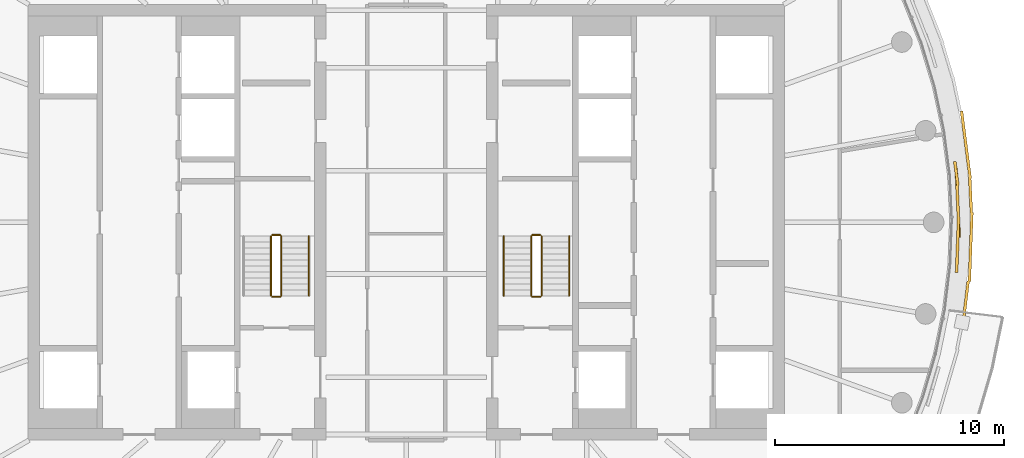
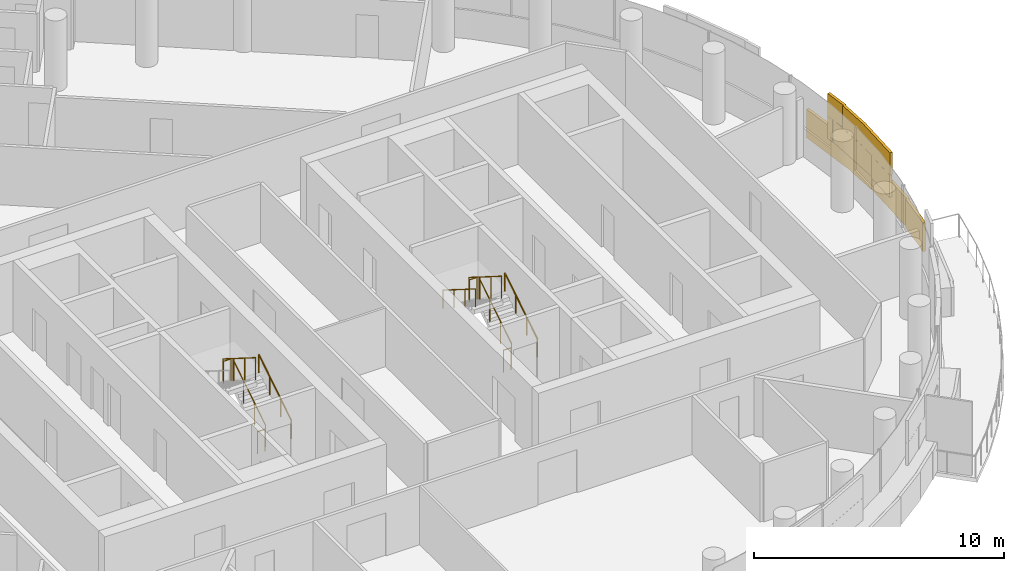
# One storey, part 24 of 27: 11 railings, 1 covering.
"""IFC4 building model written with IfcOpenShell, lengths in metres."""

from ifc_helpers import new_model, si_unit, direction, frame, origin, origin_2d, place, context, subcontext, project, spatial, rectangle, circle, extrude, material, layer, layer_set, type_object, element, save


model = new_model("IFC4")

# Units and contexts
model_context = context("Model", 3, precision=1e-05, world=origin(), true_north=direction((0.0, 1.0)))
body_context = subcontext(model_context, "Body", "Model", "MODEL_VIEW")
ifc_project = project(units=[si_unit("LENGTHUNIT", "METRE"), si_unit("AREAUNIT", "SQUARE_METRE"), si_unit("VOLUMEUNIT", "CUBIC_METRE"), si_unit("PLANEANGLEUNIT", "RADIAN"), si_unit("MASSUNIT", "GRAM", prefix="KILO")], contexts=[model_context])

# Site, building, storey
site_placement = place(None, origin())
site = spatial("IfcSite", under=ifc_project, at=site_placement, CompositionType="ELEMENT")
building_placement = place(site_placement, origin())
building = spatial("IfcBuilding", under=site, at=building_placement, Name="Tamarind Cross Interchange Tower", CompositionType="ELEMENT")
storey_placement = place(building_placement, frame((0.0, 0.0, 230.699951171875)))
storey = spatial("IfcBuildingStorey", under=building, at=storey_placement, Name="L58", CompositionType="ELEMENT", Elevation=230.699951171875)

# Railings
ifc_material_1 = material(Name="Stair guard")
railing_type_1 = type_object("IfcRailingType", Name="Stair guard", PredefinedType="GUARDRAIL", material=ifc_material_1)
railing_1_placement = place(storey_placement, frame((-5.449951171875, -3.199951171875, 0.16357421875)))
element("IfcRailing", 1, at=railing_1_placement, inside=storey, type_object=railing_type_1, Name="L58 ST1 stair guard 1", PredefinedType="GUARDRAIL", context=body_context, shape_type="SweptSolid", body=[
    extrude(circle(Radius=0.02392578125, at=origin_2d()), frame((0.0, 0.0, 1.076171875), z_axis=(0.0, 0.846301844409, 0.532703658848), x_axis=(-1.0, 0.0, 0.0)), (0.0, 0.0, 1.0), 3.072021484375),
    extrude(circle(Radius=0.02099609375, at=origin_2d()), origin(), (0.0, 0.0, 1.0), 1.052001953125),
    extrude(circle(Radius=0.02099609375, at=origin_2d()), frame((0.0, 0.86669921875, 0.54541015625)), (0.0, 0.0, 1.0), 1.052001953125),
    extrude(circle(Radius=0.02099609375, at=origin_2d()), frame((0.0, 1.733154296875, 1.091064453125)), (0.0, 0.0, 1.0), 1.052001953125),
    extrude(circle(Radius=0.02099609375, at=origin_2d()), frame((0.0, 2.599853515625, 1.636474609375)), (0.0, 0.0, 1.0), 1.052001953125),
])
railing_2_placement = place(storey_placement, frame((-5.5, -0.550048828125, 1.800048828125)))
element("IfcRailing", 2, at=railing_2_placement, inside=storey, type_object=railing_type_1, Name="L58 ST1 stair guard 2", PredefinedType="GUARDRAIL", context=body_context, shape_type="SweptSolid", body=[
    extrude(circle(Radius=0.02392578125, at=origin_2d()), frame((0.0, 0.0, 1.076171875), z_axis=(-1.0, 0.0, 0.0), x_axis=(0.0, -1.0, 0.0)), (0.0, 0.0, 1.0), 0.35009765625),
    extrude(circle(Radius=0.02099609375, at=origin_2d()), origin(), (0.0, 0.0, 1.0), 1.052001953125),
    extrude(circle(Radius=0.02099609375, at=origin_2d()), frame((-0.35009765625, 0.0, 0.0)), (0.0, 0.0, 1.0), 1.052001953125),
])
railing_3_placement = place(storey_placement, frame((-5.89990234375, -0.60009765625, 1.963623046875)))
element("IfcRailing", 3, at=railing_3_placement, inside=storey, type_object=railing_type_1, Name="L58 ST1 stair guard 3", PredefinedType="GUARDRAIL", context=body_context, shape_type="SweptSolid", body=[
    extrude(circle(Radius=0.02392578125, at=origin_2d()), frame((0.0, 0.0, 1.076171875), z_axis=(0.0, -0.846301844409, 0.532703658848), x_axis=(1.0, 0.0, 0.0)), (0.0, 0.0, 1.0), 3.072021484375),
    extrude(circle(Radius=0.02099609375, at=origin_2d()), origin(), (0.0, 0.0, 1.0), 1.052001953125),
    extrude(circle(Radius=0.02099609375, at=origin_2d()), frame((0.0, -0.86669921875, 0.54541015625)), (0.0, 0.0, 1.0), 1.052001953125),
    extrude(circle(Radius=0.02099609375, at=origin_2d()), frame((0.0, -1.733154296875, 1.091064453125)), (0.0, 0.0, 1.0), 1.052001953125),
    extrude(circle(Radius=0.02099609375, at=origin_2d()), frame((0.0, -2.599853515625, 1.636474609375)), (0.0, 0.0, 1.0), 1.052001953125),
])
railing_4_placement = place(storey_placement, frame((-5.5, -3.25, 0.0)))
element("IfcRailing", 4, at=railing_4_placement, inside=storey, type_object=railing_type_1, Name="L58 ST1 stair guard 4", PredefinedType="GUARDRAIL", context=body_context, shape_type="SweptSolid", body=[
    extrude(circle(Radius=0.02392578125, at=origin_2d()), frame((0.0, 0.0, 1.076171875), z_axis=(-1.0, 0.0, 0.0), x_axis=(0.0, -1.0, 0.0)), (0.0, 0.0, 1.0), 0.35009765625),
    extrude(circle(Radius=0.02099609375, at=origin_2d()), origin(), (0.0, 0.0, 1.0), 1.052001953125),
    extrude(circle(Radius=0.02099609375, at=origin_2d()), frame((-0.35009765625, 0.0, 0.0)), (0.0, 0.0, 1.0), 1.052001953125),
])
railing_5_placement = place(storey_placement, frame((5.89990234375, -3.199951171875, 0.16357421875)))
element("IfcRailing", 5, at=railing_5_placement, inside=storey, type_object=railing_type_1, Name="L58 ST2 stair guard 1", PredefinedType="GUARDRAIL", context=body_context, shape_type="SweptSolid", body=[
    extrude(circle(Radius=0.02392578125, at=origin_2d()), frame((0.0, 0.0, 1.076171875), z_axis=(0.0, 0.846301844409, 0.532703658848), x_axis=(-1.0, 0.0, 0.0)), (0.0, 0.0, 1.0), 3.072021484375),
    extrude(circle(Radius=0.02099609375, at=origin_2d()), origin(), (0.0, 0.0, 1.0), 1.052001953125),
    extrude(circle(Radius=0.02099609375, at=origin_2d()), frame((0.0, 0.86669921875, 0.54541015625)), (0.0, 0.0, 1.0), 1.052001953125),
    extrude(circle(Radius=0.02099609375, at=origin_2d()), frame((0.0, 1.733154296875, 1.091064453125)), (0.0, 0.0, 1.0), 1.052001953125),
    extrude(circle(Radius=0.02099609375, at=origin_2d()), frame((0.0, 2.599853515625, 1.636474609375)), (0.0, 0.0, 1.0), 1.052001953125),
])
railing_6_placement = place(storey_placement, frame((5.85009765625, -0.550048828125, 1.800048828125)))
element("IfcRailing", 6, at=railing_6_placement, inside=storey, type_object=railing_type_1, Name="L58 ST2 stair guard 2", PredefinedType="GUARDRAIL", context=body_context, shape_type="SweptSolid", body=[
    extrude(circle(Radius=0.02392578125, at=origin_2d()), frame((0.0, 0.0, 1.076171875), z_axis=(-1.0, 0.0, 0.0), x_axis=(0.0, -1.0, 0.0)), (0.0, 0.0, 1.0), 0.35009765625),
    extrude(circle(Radius=0.02099609375, at=origin_2d()), origin(), (0.0, 0.0, 1.0), 1.052001953125),
    extrude(circle(Radius=0.02099609375, at=origin_2d()), frame((-0.35009765625, 0.0, 0.0)), (0.0, 0.0, 1.0), 1.052001953125),
])
railing_7_placement = place(storey_placement, frame((5.449951171875, -0.60009765625, 1.963623046875)))
element("IfcRailing", 7, at=railing_7_placement, inside=storey, type_object=railing_type_1, Name="L58 ST2 stair guard 3", PredefinedType="GUARDRAIL", context=body_context, shape_type="SweptSolid", body=[
    extrude(circle(Radius=0.02392578125, at=origin_2d()), frame((0.0, 0.0, 1.076171875), z_axis=(0.0, -0.846301844409, 0.532703658848), x_axis=(1.0, 0.0, 0.0)), (0.0, 0.0, 1.0), 3.072021484375),
    extrude(circle(Radius=0.02099609375, at=origin_2d()), origin(), (0.0, 0.0, 1.0), 1.052001953125),
    extrude(circle(Radius=0.02099609375, at=origin_2d()), frame((0.0, -0.86669921875, 0.54541015625)), (0.0, 0.0, 1.0), 1.052001953125),
    extrude(circle(Radius=0.02099609375, at=origin_2d()), frame((0.0, -1.733154296875, 1.091064453125)), (0.0, 0.0, 1.0), 1.052001953125),
    extrude(circle(Radius=0.02099609375, at=origin_2d()), frame((0.0, -2.599853515625, 1.636474609375)), (0.0, 0.0, 1.0), 1.052001953125),
])
railing_8_placement = place(storey_placement, frame((5.85009765625, -3.25, 0.0)))
element("IfcRailing", 8, at=railing_8_placement, inside=storey, type_object=railing_type_1, Name="L58 ST2 stair guard 4", PredefinedType="GUARDRAIL", context=body_context, shape_type="SweptSolid", body=[
    extrude(circle(Radius=0.02392578125, at=origin_2d()), frame((0.0, 0.0, 1.076171875), z_axis=(-1.0, 0.0, 0.0), x_axis=(0.0, -1.0, 0.0)), (0.0, 0.0, 1.0), 0.35009765625),
    extrude(circle(Radius=0.02099609375, at=origin_2d()), origin(), (0.0, 0.0, 1.0), 1.052001953125),
    extrude(circle(Radius=0.02099609375, at=origin_2d()), frame((-0.35009765625, 0.0, 0.0)), (0.0, 0.0, 1.0), 1.052001953125),
])
ifc_material_2 = material(Name="Stair handrail")
railing_type_2 = type_object("IfcRailingType", Name="Stair handrail", PredefinedType="HANDRAIL", material=ifc_material_2)
for number, where, name in (
    (9, (-4.25, -3.199951171875, 0.16357421875), "L58 ST1 stair handrail 1"),
    (10, (7.10009765625, -3.199951171875, 0.16357421875), "L58 ST2 stair handrail 1"),
):
    element("IfcRailing", number, at=place(storey_placement, frame(where)), inside=storey, type_object=railing_type_2, Name=name, PredefinedType="HANDRAIL", context=body_context, shape_type="SweptSolid", body=[
        extrude(circle(Radius=0.02392578125, at=origin_2d()), frame((0.0, 0.0, 0.8759765625), z_axis=(0.0, 0.846301844409, 0.532703658848), x_axis=(-1.0, 0.0, 0.0)), (0.0, 0.0, 1.0), 3.072021484375),
        extrude(circle(Radius=0.02099609375, at=origin_2d()), origin(), (0.0, 0.0, 1.0), 0.851806640625),
        extrude(circle(Radius=0.02099609375, at=origin_2d()), frame((0.0, 0.86669921875, 0.54541015625)), (0.0, 0.0, 1.0), 0.851806640625),
        extrude(circle(Radius=0.02099609375, at=origin_2d()), frame((0.0, 1.733154296875, 1.091064453125)), (0.0, 0.0, 1.0), 0.851806640625),
        extrude(circle(Radius=0.02099609375, at=origin_2d()), frame((0.0, 2.599853515625, 1.636474609375)), (0.0, 0.0, 1.0), 0.851806640625),
    ])
railing_9_placement = place(storey_placement, frame((4.25, -0.60009765625, 1.963623046875)))
element("IfcRailing", 11, at=railing_9_placement, inside=storey, type_object=railing_type_2, Name="L58 ST2 stair handrail 2", PredefinedType="HANDRAIL", context=body_context, shape_type="SweptSolid", body=[
    extrude(circle(Radius=0.02392578125, at=origin_2d()), frame((0.0, 0.0, 0.8759765625), z_axis=(0.0, -0.846301844409, 0.532703658848), x_axis=(1.0, 0.0, 0.0)), (0.0, 0.0, 1.0), 3.072021484375),
    extrude(circle(Radius=0.02099609375, at=origin_2d()), origin(), (0.0, 0.0, 1.0), 0.851806640625),
    extrude(circle(Radius=0.02099609375, at=origin_2d()), frame((0.0, -0.86669921875, 0.54541015625)), (0.0, 0.0, 1.0), 0.851806640625),
    extrude(circle(Radius=0.02099609375, at=origin_2d()), frame((0.0, -1.733154296875, 1.091064453125)), (0.0, 0.0, 1.0), 0.851806640625),
    extrude(circle(Radius=0.02099609375, at=origin_2d()), frame((0.0, -2.599853515625, 1.636474609375)), (0.0, 0.0, 1.0), 0.851806640625),
])

# Covering
ifc_material_3 = material(Name="Terracotta", Category="masonry")
ifc_layer = layer(ifc_material_3, 0.1201171875)
ifc_layer_set = layer_set([ifc_layer], Name="Terracotta")
covering_type = type_object("IfcCoveringType", Name="Terracotta baguette screen unit", PredefinedType="MOLDING", material=ifc_layer_set)
covering_placement = place(storey_placement, origin())
element("IfcCovering", 12, at=covering_placement, inside=storey, type_object=covering_type, Name="SCR-L58-02-06", PredefinedType="MOLDING", context=body_context, shape_type="SweptSolid", body=[
    extrude(rectangle(XDim=1.52001953125, YDim=0.1201171875, at=origin_2d()), frame((24.030517578125, -1.390869140625, 1.40380859375), z_axis=(0.0, 0.0, 1.0), x_axis=(0.037024696392, 0.999314350871, 0.0)), (0.0, 0.0, 1.0), 1.092041015625),
    extrude(rectangle(XDim=1.52001953125, YDim=0.1201171875, at=origin_2d()), frame((24.085693359375, 0.108154296875, 1.40380859375), z_axis=(0.0, 0.0, 1.0), x_axis=(-0.045624486728, 0.998958660912, 0.0)), (0.0, 0.0, 1.0), 1.092041015625),
    extrude(rectangle(XDim=1.52001953125, YDim=0.1201171875, at=origin_2d()), frame((24.01708984375, 1.6064453125, 1.40380859375), z_axis=(0.0, 0.0, 1.0), x_axis=(-0.045624486728, 0.998958660912, 0.0)), (0.0, 0.0, 1.0), 1.092041015625),
    extrude(rectangle(XDim=0.3134765625, YDim=0.1201171875, at=origin_2d()), frame((23.94189453125, 2.50439453125, 1.40380859375), z_axis=(0.0, 0.0, 1.0), x_axis=(-0.127962008342, 0.991779070368, 0.0)), (0.0, 0.0, 1.0), 1.092041015625),
    extrude(rectangle(XDim=0.799072265625, YDim=0.1201171875, at=origin_2d()), frame((24.015869140625, -1.78515625, 2.50390625), z_axis=(0.0, 0.0, 1.0), x_axis=(0.037024696392, 0.999314350871, 0.0)), (0.0, 0.0, 1.0), 1.092041015625),
    extrude(rectangle(XDim=1.52001953125, YDim=0.1201171875, at=origin_2d()), frame((24.05810546875, -0.641357421875, 2.50390625), z_axis=(0.0, 0.0, 1.0), x_axis=(0.037024696392, 0.999314350871, 0.0)), (0.0, 0.0, 1.0), 1.092041015625),
    extrude(rectangle(XDim=1.52001953125, YDim=0.1201171875, at=origin_2d()), frame((24.05126953125, 0.857177734375, 2.50390625), z_axis=(0.0, 0.0, 1.0), x_axis=(-0.045624486728, 0.998958660912, 0.0)), (0.0, 0.0, 1.0), 1.092041015625),
    extrude(rectangle(XDim=1.0634765625, YDim=0.1201171875, at=origin_2d()), frame((23.98974609375, 2.13232421875, 2.50390625), z_axis=(0.0, 0.0, 1.0), x_axis=(-0.127962008342, 0.991779070368, 0.0)), (0.0, 0.0, 1.0), 1.092041015625),
    extrude(rectangle(XDim=0.318115234375, YDim=0.1201171875, at=origin_2d()), frame((24.290283203125, -4.203125, 0.00390625), z_axis=(0.0, 0.0, 1.0), x_axis=(0.201001463943, 0.9795909409, 0.0)), (0.0, 0.0, 1.0), 1.39208984375),
    extrude(rectangle(XDim=1.52001953125, YDim=0.1201171875, at=origin_2d()), frame((24.41845703125, -3.313720703125, 0.00390625), z_axis=(0.0, 0.0, 1.0), x_axis=(0.119420963295, 0.992843710523, 0.0)), (0.0, 0.0, 1.0), 1.39208984375),
    extrude(rectangle(XDim=1.52001953125, YDim=0.1201171875, at=origin_2d()), frame((24.5888671875, -1.82373046875, 0.00390625), z_axis=(0.0, 0.0, 1.0), x_axis=(0.037024696392, 0.999314350871, 0.0)), (0.0, 0.0, 1.0), 1.39208984375),
    extrude(rectangle(XDim=1.52001953125, YDim=0.1201171875, at=origin_2d()), frame((24.644287109375, -0.32470703125, 0.00390625), z_axis=(0.0, 0.0, 1.0), x_axis=(0.037024696392, 0.999314350871, 0.0)), (0.0, 0.0, 1.0), 1.39208984375),
    extrude(rectangle(XDim=1.52001953125, YDim=0.1201171875, at=origin_2d()), frame((24.611572265625, 1.173828125, 0.00390625), z_axis=(0.0, 0.0, 1.0), x_axis=(-0.045624486728, 0.998958660912, 0.0)), (0.0, 0.0, 1.0), 1.39208984375),
    extrude(rectangle(XDim=1.52001953125, YDim=0.1201171875, at=origin_2d()), frame((24.49951171875, 2.66845703125, 0.00390625), z_axis=(0.0, 0.0, 1.0), x_axis=(-0.127962008342, 0.991779070368, 0.0)), (0.0, 0.0, 1.0), 1.39208984375),
    extrude(rectangle(XDim=1.460205078125, YDim=0.1201171875, at=origin_2d()), frame((24.311279296875, 4.12646484375, 0.00390625), z_axis=(0.0, 0.0, 1.0), x_axis=(-0.127962008342, 0.991779070368, 0.0)), (0.0, 0.0, 1.0), 1.39208984375),
])

save(model, "model.ifc")
